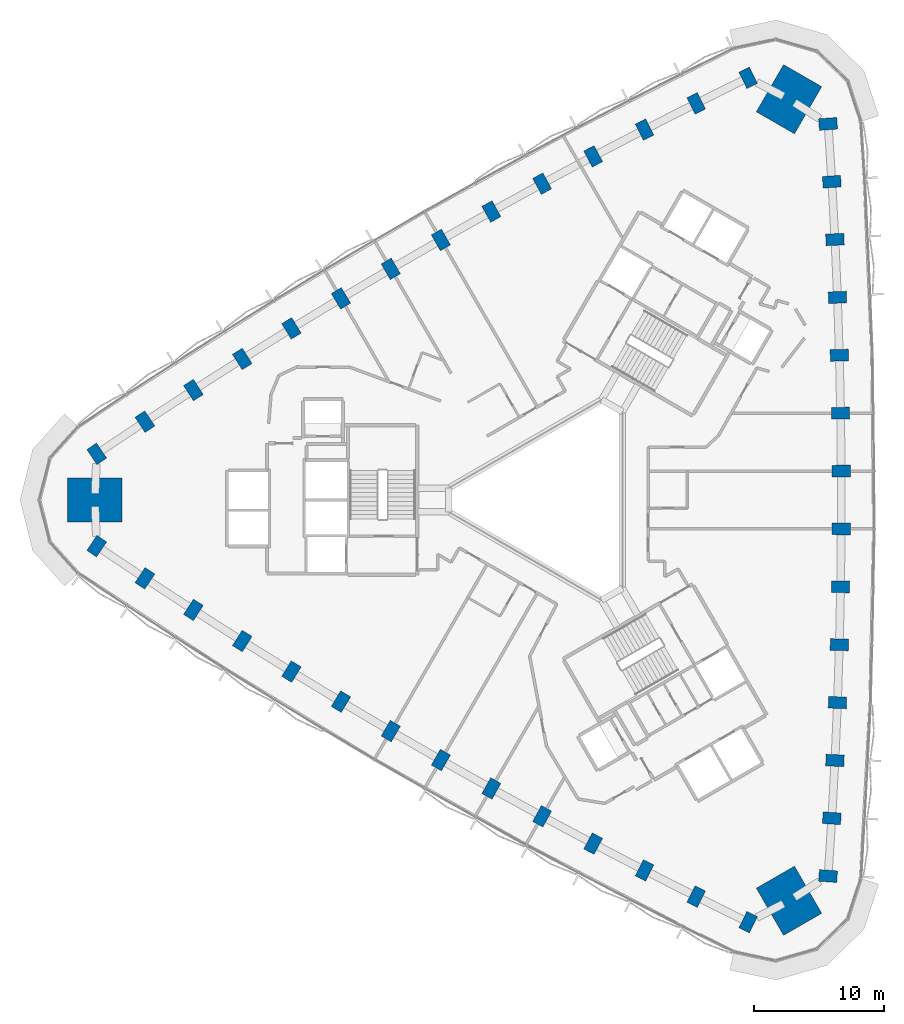
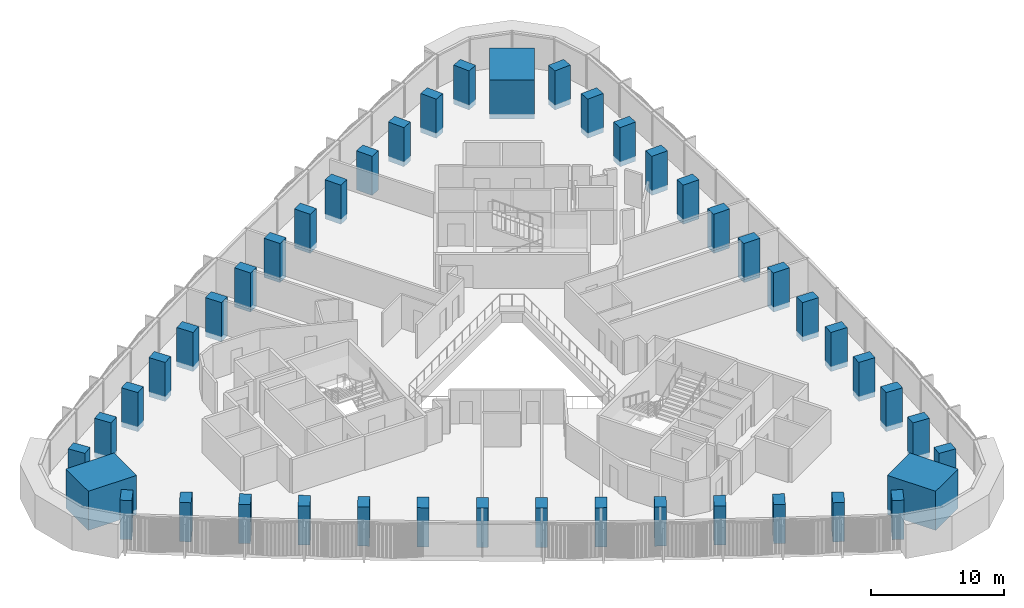
# One storey, part 1 of 15: 45 columns.
"""IFC4 building model written with IfcOpenShell, lengths in metres."""

from ifc_helpers import new_model, si_unit, direction, frame, origin, origin_2d, place, context, subcontext, project, spatial, rectangle, extrude, material, material_profile, profile_set, type_object, element, save


model = new_model("IFC4")

# Units and contexts
model_context = context("Model", 3, precision=1e-05, world=origin(), true_north=direction((0.0, 1.0)))
body_context = subcontext(model_context, "Body", "Model", "MODEL_VIEW")
ifc_project = project(units=[si_unit("LENGTHUNIT", "METRE"), si_unit("AREAUNIT", "SQUARE_METRE"), si_unit("VOLUMEUNIT", "CUBIC_METRE"), si_unit("PLANEANGLEUNIT", "RADIAN"), si_unit("MASSUNIT", "GRAM", prefix="KILO")], contexts=[model_context])

# Site, building, storey
site_placement = place(None, origin())
site = spatial("IfcSite", under=ifc_project, at=site_placement, CompositionType="ELEMENT")
building_placement = place(site_placement, origin())
building = spatial("IfcBuilding", under=site, at=building_placement, Name="Tamra Quay Hotel Tower", CompositionType="ELEMENT")
storey_placement = place(building_placement, frame((0.0, 0.0, 63.800048828125)))
storey = spatial("IfcBuildingStorey", under=building, at=storey_placement, Name="L14", CompositionType="ELEMENT", Elevation=63.800048828125)

# Columns
ifc_material = material(Name="Concrete M70", Category="concrete")
ifc_material_profile_1 = material_profile(ifc_material, rectangle(XDim=1.39990234375, YDim=0.89990234375, at=origin_2d()), Name="COLUMN RC 900x1400 Z1")
ifc_profile_set_1 = profile_set([ifc_material_profile_1], Name="Concrete M70")
column_type_1 = type_object("IfcColumnType", Name="COLUMN RC 900x1400 Z1", PredefinedType="COLUMN", material=ifc_profile_set_1)
for number, where, z_axis, x_axis, name in (
    (1, (20.87890625, -29.033935546875, -0.47509765625), (0.0, 0.0, 1.0), (-0.997561736499, 0.069789554182, 0.0), "COL-C1E01-L14"),
    (2, (21.168701171875, -24.572509765625, -0.47509765625), (0.0, 0.0, 1.0), (-0.998214376921, 0.059733221148, 0.0), "COL-C1E02-L14"),
    (3, (21.410400390625, -20.10888671875, -0.47509765625), (0.0, 0.0, 1.0), (-0.998830734492, 0.048344222345, 0.0), "COL-C1E03-L14"),
    (4, (21.60400390625, -15.642578125, -0.47509765625), (0.0, 0.0, 1.0), (-0.999284860458, 0.037812268629, 0.0), "COL-C1E04-L14"),
    (5, (21.7490234375, -11.17431640625, -0.47509765625), (0.0, 0.0, 1.0), (-0.999628128016, 0.02726913418, 0.0), "COL-C1E05-L14"),
    (6, (21.845947265625, -6.70556640625, -0.47509765625), (0.0, 0.0, 1.0), (-0.999874567832, 0.015838200722, 0.0), "COL-C1E06-L14"),
    (7, (21.894287109375, -2.2353515625, -0.47509765625), (0.0, 0.0, 1.0), (-0.999986062833, 0.00527959646, 0.0), "COL-C1E07-L14"),
    (8, (21.894287109375, 2.2353515625, -0.47509765625), (0.0, 0.0, 1.0), (0.999986062833, 0.00527959646, 0.0), "COL-C1E08-L14"),
    (9, (21.845947265625, 6.70556640625, -0.47509765625), (0.0, 0.0, 1.0), (0.999874567832, 0.015838200722, 0.0), "COL-C1E09-L14"),
    (10, (21.7490234375, 11.17431640625, -0.47509765625), (0.0, 0.0, 1.0), (0.999628128016, 0.02726913418, 0.0), "COL-C1E10-L14"),
    (11, (21.60400390625, 15.642578125, -0.47509765625), (0.0, 0.0, 1.0), (0.999284860458, 0.037812268629, 0.0), "COL-C1E11-L14"),
    (12, (21.410400390625, 20.10888671875, -0.47509765625), (0.0, 0.0, 1.0), (0.998830734492, 0.048344222345, 0.0), "COL-C1E12-L14"),
    (13, (21.168701171875, 24.572509765625, -0.47509765625), (0.0, 0.0, 1.0), (0.998214376921, 0.059733221148, 0.0), "COL-C1E13-L14"),
    (14, (20.87890625, 29.033935546875, -0.47509765625), (0.0, 0.0, 1.0), (0.997561736499, 0.069789554182, 0.0), "COL-C1E14-L14"),
    (15, (14.70458984375, 32.5986328125, -0.47509765625), (0.0, 0.0, 1.0), (-0.438341341409, 0.898808582743, 0.0), "COL-C1NW01-L14"),
    (16, (10.69580078125, 30.618896484375, -0.47509765625), (0.0, 0.0, 1.0), (-0.447376701496, 0.89434561941, 0.0), "COL-C1NW02-L14"),
    (17, (6.709716796875, 28.596435546875, -0.47509765625), (0.0, 0.0, 1.0), (-0.457548042569, 0.889184901323, 0.0), "COL-C1NW03-L14"),
    (18, (2.744873046875, 26.53076171875, -0.47509765625), (0.0, 0.0, 1.0), (-0.466896045022, 0.884312209088, 0.0), "COL-C1NW04-L14"),
    (19, (-1.197265625, 24.422607421875, -0.47509765625), (0.0, 0.0, 1.0), (-0.476198301069, 0.879337920289, 0.0), "COL-C1NW05-L14"),
    (20, (-5.11572265625, 22.27197265625, -0.47509765625), (0.0, 0.0, 1.0), (-0.486220999741, 0.873835876702, 0.0), "COL-C1NW06-L14"),
    (21, (-9.011474609375, 20.07861328125, -0.47509765625), (0.0, 0.0, 1.0), (-0.495420766761, 0.868653132074, 0.0), "COL-C1NW07-L14"),
    (22, (-12.883056640625, 17.843505859375, -0.47509765625), (0.0, 0.0, 1.0), (-0.504565296072, 0.863373535614, 0.0), "COL-C1NW08-L14"),
    (23, (-16.72998046875, 15.56640625, -0.47509765625), (0.0, 0.0, 1.0), (-0.513653568092, 0.85799767598, 0.0), "COL-C1NW09-L14"),
    (24, (-20.552001953125, 13.248046875, -0.47509765625), (0.0, 0.0, 1.0), (-0.523429826947, 0.85206878611, 0.0), "COL-C1NW10-L14"),
    (25, (-24.348876953125, 10.88818359375, -0.47509765625), (0.0, 0.0, 1.0), (-0.532388815436, 0.84649994046, 0.0), "COL-C1NW11-L14"),
    (26, (-28.1201171875, 8.487548828125, -0.47509765625), (0.0, 0.0, 1.0), (-0.541282691923, 0.840840678978, 0.0), "COL-C1NW12-L14"),
    (27, (-31.86474609375, 6.04638671875, -0.47509765625), (0.0, 0.0, 1.0), (-0.550837675425, 0.834612398262, 0.0), "COL-C1NW13-L14"),
    (28, (-35.58349609375, 3.564697265625, -0.47509765625), (0.0, 0.0, 1.0), (-0.55922039509, 0.82901902856, 0.0), "COL-C1NW14-L14"),
    (29, (-35.58349609375, -3.564697265625, -0.47509765625), (0.0, 0.0, 1.0), (0.55922039509, 0.82901902856, 0.0), "COL-C1SW01-L14"),
    (30, (-31.86474609375, -6.04638671875, -0.47509765625), (0.0, 0.0, 1.0), (0.550837675425, 0.834612398262, 0.0), "COL-C1SW02-L14"),
    (31, (-28.1201171875, -8.487548828125, -0.47509765625), (0.0, 0.0, 1.0), (0.541282691923, 0.840840678978, 0.0), "COL-C1SW03-L14"),
    (32, (-24.348876953125, -10.88818359375, -0.47509765625), (0.0, 0.0, 1.0), (0.532388815436, 0.84649994046, 0.0), "COL-C1SW04-L14"),
    (33, (-20.552001953125, -13.248046875, -0.47509765625), (0.0, 0.0, 1.0), (0.523429826947, 0.85206878611, 0.0), "COL-C1SW05-L14"),
    (34, (-16.72998046875, -15.56640625, -0.47509765625), (0.0, 0.0, 1.0), (0.513653568092, 0.85799767598, 0.0), "COL-C1SW06-L14"),
    (35, (-12.883056640625, -17.843505859375, -0.47509765625), (0.0, 0.0, 1.0), (0.504565296072, 0.863373535614, 0.0), "COL-C1SW07-L14"),
    (36, (-9.011474609375, -20.07861328125, -0.47509765625), (0.0, 0.0, 1.0), (0.495420766761, 0.868653132074, 0.0), "COL-C1SW08-L14"),
    (37, (-5.11572265625, -22.27197265625, -0.47509765625), (0.0, 0.0, 1.0), (0.486220999741, 0.873835876702, 0.0), "COL-C1SW09-L14"),
    (38, (-1.197265625, -24.422607421875, -0.47509765625), (0.0, 0.0, 1.0), (0.476198301069, 0.879337920289, 0.0), "COL-C1SW10-L14"),
    (39, (2.744873046875, -26.53076171875, -0.47509765625), (0.0, 0.0, 1.0), (0.466896045022, 0.884312209088, 0.0), "COL-C1SW11-L14"),
    (40, (6.709716796875, -28.596435546875, -0.47509765625), (0.0, 0.0, 1.0), (0.457548042569, 0.889184901323, 0.0), "COL-C1SW12-L14"),
    (41, (10.69580078125, -30.618896484375, -0.47509765625), (0.0, 0.0, 1.0), (0.447376701496, 0.89434561941, 0.0), "COL-C1SW13-L14"),
    (42, (14.70458984375, -32.5986328125, -0.47509765625), (0.0, 0.0, 1.0), (0.438341341409, 0.898808582743, 0.0), "COL-C1SW14-L14"),
):
    element("IfcColumn", number, at=place(storey_placement, frame(where, z_axis=z_axis, x_axis=x_axis)), inside=storey, type_object=column_type_1, Name=name, PredefinedType="COLUMN", context=body_context, shape_type="SweptSolid", body=[
        extrude(rectangle(XDim=1.39990234375, YDim=0.89990234375, at=origin_2d()), origin(), (0.0, 0.0, 1.0), 3.60009765625),
    ])
ifc_material_profile_2 = material_profile(ifc_material, rectangle(XDim=4.199951171875, YDim=3.39990234375, at=origin_2d()), Name="MEGA COLUMN RC 3400x4200 Z1")
ifc_profile_set_2 = profile_set([ifc_material_profile_2], Name="Concrete M70")
column_type_2 = type_object("IfcColumnType", Name="MEGA COLUMN RC 3400x4200 Z1", PredefinedType="COLUMN", material=ifc_profile_set_2)
for number, where, z_axis, x_axis, name in (
    (43, (17.864501953125, 30.942138671875, -0.47509765625), (0.0, 0.0, 1.0), (0.5, 0.866025403784, 0.0), "COL-M1NE-L14"),
    (44, (-35.72900390625, 0.0, -0.47509765625), (0.0, 0.0, 1.0), (1.0, 0.0, 0.0), "COL-M1W-L14"),
    (45, (17.864501953125, -30.942138671875, -0.47509765625), (0.0, 0.0, 1.0), (-0.5, 0.866025403784, 0.0), "COL-M1SE-L14"),
):
    element("IfcColumn", number, at=place(storey_placement, frame(where, z_axis=z_axis, x_axis=x_axis)), inside=storey, type_object=column_type_2, Name=name, PredefinedType="COLUMN", context=body_context, shape_type="SweptSolid", body=[
        extrude(rectangle(XDim=4.199951171875, YDim=3.39990234375, at=origin_2d()), origin(), (0.0, 0.0, 1.0), 3.60009765625),
    ])

save(model, "model.ifc")
